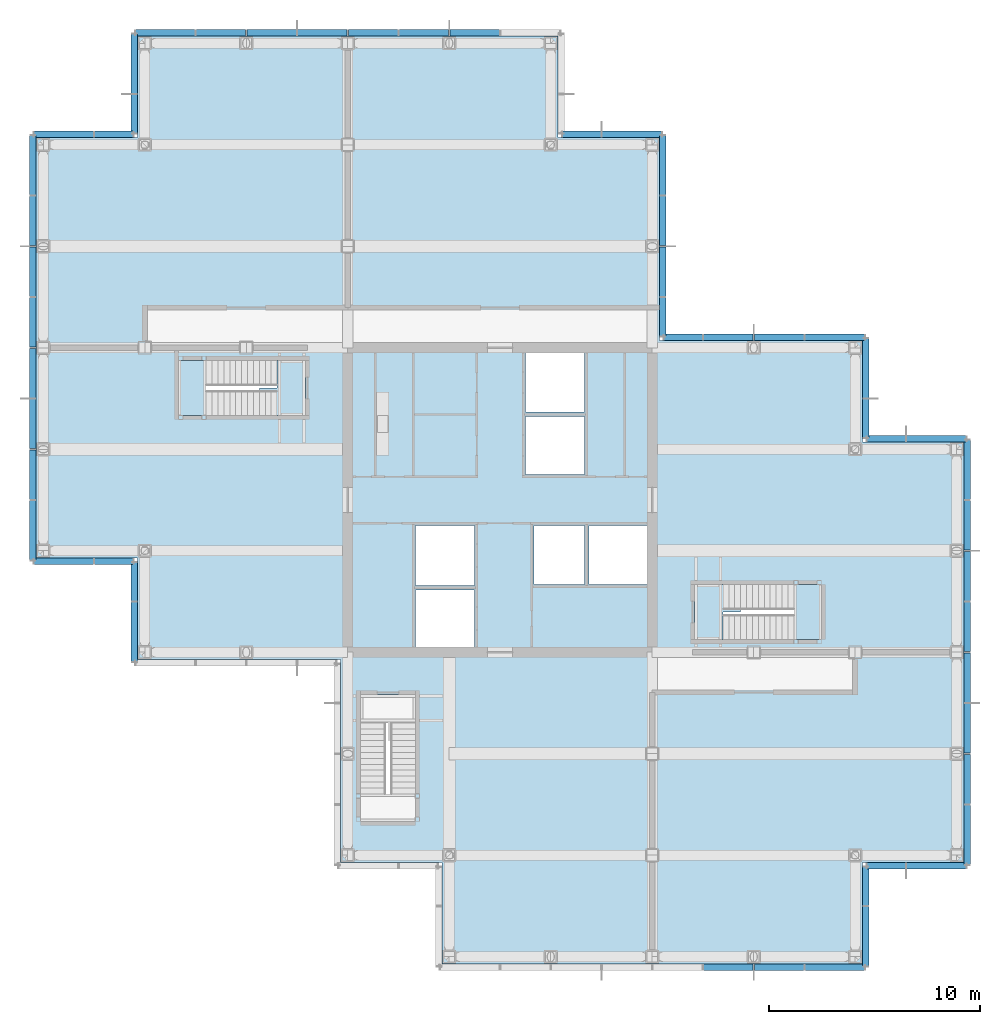
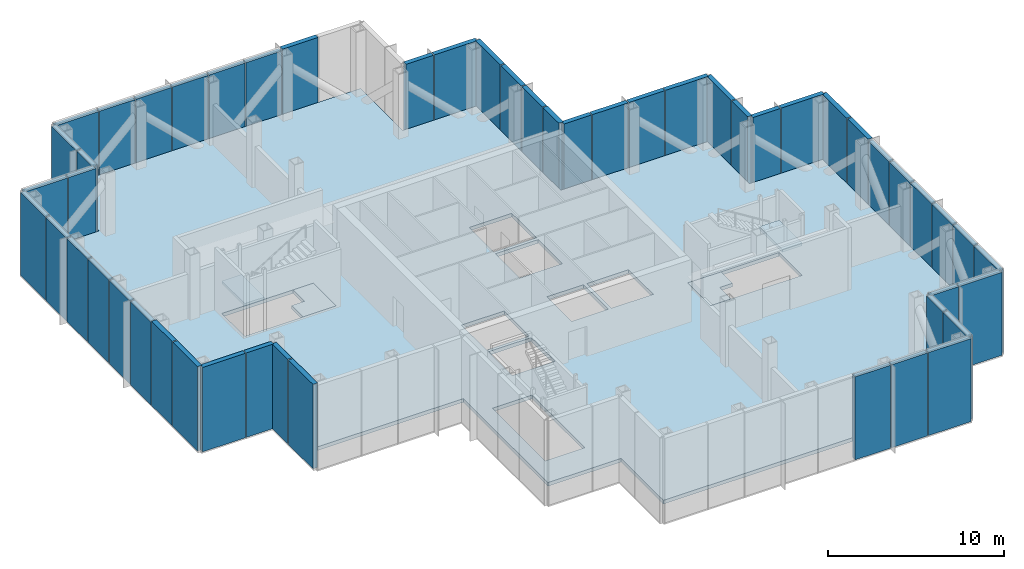
# One storey, part 12 of 17: 52 plates, 5 slabs, 17 elements without a shape of their own.
"""IFC4 building model written with IfcOpenShell, lengths in metres."""

from ifc_helpers import new_model, si_unit, direction, frame, origin, origin_2d, place, context, subcontext, project, spatial, polyline, rectangle, outline, extrude, material, layer, layer_set, type_object, element, aggregate, save


model = new_model("IFC4")

# Units and contexts
model_context = context("Model", 3, precision=1e-05, world=origin(), true_north=direction((0.0, 1.0)))
body_context = subcontext(model_context, "Body", "Model", "MODEL_VIEW")
ifc_project = project(units=[si_unit("LENGTHUNIT", "METRE"), si_unit("AREAUNIT", "SQUARE_METRE"), si_unit("VOLUMEUNIT", "CUBIC_METRE"), si_unit("PLANEANGLEUNIT", "RADIAN"), si_unit("MASSUNIT", "GRAM", prefix="KILO")], contexts=[model_context])

# Site, building, storey
site_placement = place(None, origin())
site = spatial("IfcSite", under=ifc_project, at=site_placement, CompositionType="ELEMENT")
building_placement = place(site_placement, origin())
building = spatial("IfcBuilding", under=site, at=building_placement, Name="Kvirike Care Tower", CompositionType="ELEMENT")
storey_placement = place(building_placement, frame((0.0, 0.0, 136.5)))
storey = spatial("IfcBuildingStorey", under=building, at=storey_placement, Name="L37", CompositionType="ELEMENT", Elevation=136.5)

# Curtain wall, plates
ifc_material_1 = material(Name="Anodised aluminium stick system", Category="aluminium")
curtain_wall_type = type_object("IfcCurtainWallType", Name="CW-L LOUVRED PLANT SCREEN", PredefinedType="NOTDEFINED", material=ifc_material_1)
curtain_wall_1_placement = place(storey_placement, origin())
curtain_wall_1 = element("IfcCurtainWall", 1, at=curtain_wall_1_placement, inside=storey, type_object=curtain_wall_type, Name="Curtain wall L37 face 1", PredefinedType="NOTDEFINED")
ifc_material_2 = material(Name="Bronze anodised aluminium louvre", Category="aluminium")
ifc_layer_1 = layer(ifc_material_2, 0.300048828125)
ifc_layer_set_1 = layer_set([ifc_layer_1], Name="BRONZE LOUVRE PANEL")
plate_type = type_object("IfcPlateType", Name="BRONZE LOUVRE PANEL", PredefinedType="CURTAIN_PANEL", material=ifc_layer_set_1)
plate_1_placement = place(storey_placement, frame((43.699951171875, 20.166259765625, -1.35009765625), z_axis=(0.0, 0.0, 1.0), x_axis=(0.0, 1.0, 0.0)))
plate_1 = element("IfcPlate", 2, at=plate_1_placement, type_object=plate_type, Name="CW-L panel L37 face 1.1", PredefinedType="CURTAIN_PANEL", context=body_context, shape_type="SweptSolid", body=[
    extrude(rectangle(XDim=2.802490234375, YDim=0.300048828125, at=origin_2d()), origin(), (0.0, 0.0, 1.0), 5.75),
])
plate_2_placement = place(storey_placement, frame((43.699951171875, 22.800048828125, -1.35009765625), z_axis=(0.0, 0.0, 1.0), x_axis=(0.0, 1.0, 0.0)))
plate_2 = element("IfcPlate", 3, at=plate_2_placement, type_object=plate_type, Name="CW-L panel L37 face 1.2", PredefinedType="CURTAIN_PANEL", context=body_context, shape_type="SweptSolid", body=[
    extrude(rectangle(XDim=2.3349609375, YDim=0.300048828125, at=origin_2d()), origin(), (0.0, 0.0, 1.0), 5.75),
])
plate_3_placement = place(storey_placement, frame((43.699951171875, 25.199951171875, -1.35009765625), z_axis=(0.0, 0.0, 1.0), x_axis=(0.0, 1.0, 0.0)))
plate_3 = element("IfcPlate", 4, at=plate_3_placement, type_object=plate_type, Name="CW-L panel L37 face 1.3", PredefinedType="CURTAIN_PANEL", context=body_context, shape_type="SweptSolid", body=[
    extrude(rectangle(XDim=2.3349609375, YDim=0.300048828125, at=origin_2d()), origin(), (0.0, 0.0, 1.0), 5.75),
])
plate_4_placement = place(storey_placement, frame((43.699951171875, 27.60009765625, -1.35009765625), z_axis=(0.0, 0.0, 1.0), x_axis=(0.0, 1.0, 0.0)))
plate_4 = element("IfcPlate", 5, at=plate_4_placement, type_object=plate_type, Name="CW-L panel L37 face 1.4", PredefinedType="CURTAIN_PANEL", context=body_context, shape_type="SweptSolid", body=[
    extrude(rectangle(XDim=2.3349609375, YDim=0.300048828125, at=origin_2d()), origin(), (0.0, 0.0, 1.0), 5.75),
])
plate_5_placement = place(storey_placement, frame((43.699951171875, 30.0, -1.35009765625), z_axis=(0.0, 0.0, 1.0), x_axis=(0.0, 1.0, 0.0)))
plate_5 = element("IfcPlate", 6, at=plate_5_placement, type_object=plate_type, Name="CW-L panel L37 face 1.5", PredefinedType="CURTAIN_PANEL", context=body_context, shape_type="SweptSolid", body=[
    extrude(rectangle(XDim=2.3349609375, YDim=0.300048828125, at=origin_2d()), origin(), (0.0, 0.0, 1.0), 5.75),
])
plate_6_placement = place(storey_placement, frame((43.699951171875, 32.39990234375, -1.35009765625), z_axis=(0.0, 0.0, 1.0), x_axis=(0.0, 1.0, 0.0)))
plate_6 = element("IfcPlate", 7, at=plate_6_placement, type_object=plate_type, Name="CW-L panel L37 face 1.6", PredefinedType="CURTAIN_PANEL", context=body_context, shape_type="SweptSolid", body=[
    extrude(rectangle(XDim=2.3349609375, YDim=0.300048828125, at=origin_2d()), origin(), (0.0, 0.0, 1.0), 5.75),
])
plate_7_placement = place(storey_placement, frame((43.699951171875, 34.800048828125, -1.35009765625), z_axis=(0.0, 0.0, 1.0), x_axis=(0.0, 1.0, 0.0)))
plate_7 = element("IfcPlate", 8, at=plate_7_placement, type_object=plate_type, Name="CW-L panel L37 face 1.7", PredefinedType="CURTAIN_PANEL", context=body_context, shape_type="SweptSolid", body=[
    extrude(rectangle(XDim=2.3349609375, YDim=0.300048828125, at=origin_2d()), origin(), (0.0, 0.0, 1.0), 5.85009765625),
])
plate_8_placement = place(storey_placement, frame((43.699951171875, 37.433837890625, -1.35009765625), z_axis=(0.0, 0.0, 1.0), x_axis=(0.0, 1.0, 0.0)))
plate_8 = element("IfcPlate", 9, at=plate_8_placement, type_object=plate_type, Name="CW-L panel L37 face 1.8", PredefinedType="CURTAIN_PANEL", context=body_context, shape_type="SweptSolid", body=[
    extrude(rectangle(XDim=2.802490234375, YDim=0.300048828125, at=origin_2d()), origin(), (0.0, 0.0, 1.0), 5.85009765625),
])
aggregate(curtain_wall_1, [plate_1, plate_2, plate_3, plate_4, plate_5, plate_6, plate_7, plate_8])

curtain_wall_2_placement = place(storey_placement, origin())
curtain_wall_2 = element("IfcCurtainWall", 10, at=curtain_wall_2_placement, inside=storey, type_object=curtain_wall_type, Name="Curtain wall L37 face 2", PredefinedType="NOTDEFINED")
plate_9_placement = place(storey_placement, frame((42.233642578125, 38.89990234375, -1.35009765625), z_axis=(0.0, 0.0, 1.0), x_axis=(-1.0, 0.0, 0.0)))
plate_9 = element("IfcPlate", 11, at=plate_9_placement, type_object=plate_type, Name="CW-L panel L37 face 2.1", PredefinedType="CURTAIN_PANEL", context=body_context, shape_type="SweptSolid", body=[
    extrude(rectangle(XDim=2.802490234375, YDim=0.300048828125, at=origin_2d()), origin(), (0.0, 0.0, 1.0), 5.85009765625),
])
plate_10_placement = place(storey_placement, frame((39.8662109375, 38.89990234375, -1.35009765625), z_axis=(0.0, 0.0, 1.0), x_axis=(-1.0, 0.0, 0.0)))
plate_10 = element("IfcPlate", 12, at=plate_10_placement, type_object=plate_type, Name="CW-L panel L37 face 2.2", PredefinedType="CURTAIN_PANEL", context=body_context, shape_type="SweptSolid", body=[
    extrude(rectangle(XDim=1.802490234375, YDim=0.300048828125, at=origin_2d()), origin(), (0.0, 0.0, 1.0), 5.85009765625),
])
aggregate(curtain_wall_2, [plate_9, plate_10])

curtain_wall_3_placement = place(storey_placement, origin())
curtain_wall_3 = element("IfcCurtainWall", 13, at=curtain_wall_3_placement, inside=storey, type_object=curtain_wall_type, Name="Curtain wall L37 face 3", PredefinedType="NOTDEFINED")
plate_11_placement = place(storey_placement, frame((38.89990234375, 39.8662109375, -1.35009765625), z_axis=(0.0, 0.0, 1.0), x_axis=(0.0, 1.0, 0.0)))
plate_11 = element("IfcPlate", 14, at=plate_11_placement, type_object=plate_type, Name="CW-L panel L37 face 3.1", PredefinedType="CURTAIN_PANEL", context=body_context, shape_type="SweptSolid", body=[
    extrude(rectangle(XDim=1.802490234375, YDim=0.300048828125, at=origin_2d()), origin(), (0.0, 0.0, 1.0), 5.85009765625),
])
plate_12_placement = place(storey_placement, frame((38.89990234375, 42.233642578125, -1.35009765625), z_axis=(0.0, 0.0, 1.0), x_axis=(0.0, 1.0, 0.0)))
plate_12 = element("IfcPlate", 15, at=plate_12_placement, type_object=plate_type, Name="CW-L panel L37 face 3.2", PredefinedType="CURTAIN_PANEL", context=body_context, shape_type="SweptSolid", body=[
    extrude(rectangle(XDim=2.802490234375, YDim=0.300048828125, at=origin_2d()), origin(), (0.0, 0.0, 1.0), 5.85009765625),
])
aggregate(curtain_wall_3, [plate_11, plate_12])

curtain_wall_4_placement = place(storey_placement, origin())
curtain_wall_4 = element("IfcCurtainWall", 16, at=curtain_wall_4_placement, inside=storey, type_object=curtain_wall_type, Name="Curtain wall L37 face 4", PredefinedType="NOTDEFINED")
plate_13_placement = place(storey_placement, frame((37.433837890625, 43.699951171875, -1.35009765625), z_axis=(0.0, 0.0, 1.0), x_axis=(-1.0, 0.0, 0.0)))
plate_13 = element("IfcPlate", 17, at=plate_13_placement, type_object=plate_type, Name="CW-L panel L37 face 4.1", PredefinedType="CURTAIN_PANEL", context=body_context, shape_type="SweptSolid", body=[
    extrude(rectangle(XDim=2.802490234375, YDim=0.300048828125, at=origin_2d()), origin(), (0.0, 0.0, 1.0), 5.85009765625),
])
plate_14_placement = place(storey_placement, frame((34.800048828125, 43.699951171875, -1.35009765625), z_axis=(0.0, 0.0, 1.0), x_axis=(-1.0, 0.0, 0.0)))
plate_14 = element("IfcPlate", 18, at=plate_14_placement, type_object=plate_type, Name="CW-L panel L37 face 4.2", PredefinedType="CURTAIN_PANEL", context=body_context, shape_type="SweptSolid", body=[
    extrude(rectangle(XDim=2.3349609375, YDim=0.300048828125, at=origin_2d()), origin(), (0.0, 0.0, 1.0), 5.85009765625),
])
plate_15_placement = place(storey_placement, frame((32.39990234375, 43.699951171875, -1.35009765625), z_axis=(0.0, 0.0, 1.0), x_axis=(-1.0, 0.0, 0.0)))
plate_15 = element("IfcPlate", 19, at=plate_15_placement, type_object=plate_type, Name="CW-L panel L37 face 4.3", PredefinedType="CURTAIN_PANEL", context=body_context, shape_type="SweptSolid", body=[
    extrude(rectangle(XDim=2.3349609375, YDim=0.300048828125, at=origin_2d()), origin(), (0.0, 0.0, 1.0), 5.85009765625),
])
plate_16_placement = place(storey_placement, frame((30.266357421875, 43.699951171875, -1.35009765625), z_axis=(0.0, 0.0, 1.0), x_axis=(-1.0, 0.0, 0.0)))
plate_16 = element("IfcPlate", 20, at=plate_16_placement, type_object=plate_type, Name="CW-L panel L37 face 4.4", PredefinedType="CURTAIN_PANEL", context=body_context, shape_type="SweptSolid", body=[
    extrude(rectangle(XDim=1.802490234375, YDim=0.300048828125, at=origin_2d()), origin(), (0.0, 0.0, 1.0), 5.85009765625),
])
aggregate(curtain_wall_4, [plate_13, plate_14, plate_15, plate_16])

curtain_wall_5_placement = place(storey_placement, origin())
curtain_wall_5 = element("IfcCurtainWall", 21, at=curtain_wall_5_placement, inside=storey, type_object=curtain_wall_type, Name="Curtain wall L37 face 5", PredefinedType="NOTDEFINED")
plate_17_placement = place(storey_placement, frame((29.300048828125, 44.666259765625, -1.35009765625), z_axis=(0.0, 0.0, 1.0), x_axis=(0.0, 1.0, 0.0)))
plate_17 = element("IfcPlate", 22, at=plate_17_placement, type_object=plate_type, Name="CW-L panel L37 face 5.1", PredefinedType="CURTAIN_PANEL", context=body_context, shape_type="SweptSolid", body=[
    extrude(rectangle(XDim=1.802490234375, YDim=0.300048828125, at=origin_2d()), origin(), (0.0, 0.0, 1.0), 5.85009765625),
])
plate_18_placement = place(storey_placement, frame((29.300048828125, 46.800048828125, -1.35009765625), z_axis=(0.0, 0.0, 1.0), x_axis=(0.0, 1.0, 0.0)))
plate_18 = element("IfcPlate", 23, at=plate_18_placement, type_object=plate_type, Name="CW-L panel L37 face 5.2", PredefinedType="CURTAIN_PANEL", context=body_context, shape_type="SweptSolid", body=[
    extrude(rectangle(XDim=2.3349609375, YDim=0.300048828125, at=origin_2d()), origin(), (0.0, 0.0, 1.0), 5.85009765625),
])
plate_19_placement = place(storey_placement, frame((29.300048828125, 49.199951171875, -1.35009765625), z_axis=(0.0, 0.0, 1.0), x_axis=(0.0, 1.0, 0.0)))
plate_19 = element("IfcPlate", 24, at=plate_19_placement, type_object=plate_type, Name="CW-L panel L37 face 5.3", PredefinedType="CURTAIN_PANEL", context=body_context, shape_type="SweptSolid", body=[
    extrude(rectangle(XDim=2.3349609375, YDim=0.300048828125, at=origin_2d()), origin(), (0.0, 0.0, 1.0), 5.85009765625),
])
plate_20_placement = place(storey_placement, frame((29.300048828125, 51.833740234375, -1.35009765625), z_axis=(0.0, 0.0, 1.0), x_axis=(0.0, 1.0, 0.0)))
plate_20 = element("IfcPlate", 25, at=plate_20_placement, type_object=plate_type, Name="CW-L panel L37 face 5.4", PredefinedType="CURTAIN_PANEL", context=body_context, shape_type="SweptSolid", body=[
    extrude(rectangle(XDim=2.802490234375, YDim=0.300048828125, at=origin_2d()), origin(), (0.0, 0.0, 1.0), 5.85009765625),
])
aggregate(curtain_wall_5, [plate_17, plate_18, plate_19, plate_20])

curtain_wall_6_placement = place(storey_placement, origin())
curtain_wall_6 = element("IfcCurtainWall", 26, at=curtain_wall_6_placement, inside=storey, type_object=curtain_wall_type, Name="Curtain wall L37 face 6", PredefinedType="NOTDEFINED")
plate_21_placement = place(storey_placement, frame((27.833740234375, 53.300048828125, -1.35009765625), z_axis=(0.0, 0.0, 1.0), x_axis=(-1.0, 0.0, 0.0)))
plate_21 = element("IfcPlate", 27, at=plate_21_placement, type_object=plate_type, Name="CW-L panel L37 face 6.1", PredefinedType="CURTAIN_PANEL", context=body_context, shape_type="SweptSolid", body=[
    extrude(rectangle(XDim=2.802490234375, YDim=0.300048828125, at=origin_2d()), origin(), (0.0, 0.0, 1.0), 5.85009765625),
])
plate_22_placement = place(storey_placement, frame((25.46630859375, 53.300048828125, -1.35009765625), z_axis=(0.0, 0.0, 1.0), x_axis=(-1.0, 0.0, 0.0)))
plate_22 = element("IfcPlate", 28, at=plate_22_placement, type_object=plate_type, Name="CW-L panel L37 face 6.2", PredefinedType="CURTAIN_PANEL", context=body_context, shape_type="SweptSolid", body=[
    extrude(rectangle(XDim=1.802490234375, YDim=0.300048828125, at=origin_2d()), origin(), (0.0, 0.0, 1.0), 5.85009765625),
])
aggregate(curtain_wall_6, [plate_21, plate_22])

curtain_wall_7_placement = place(storey_placement, origin())
curtain_wall_7 = element("IfcCurtainWall", 29, at=curtain_wall_7_placement, inside=storey, type_object=curtain_wall_type, Name="Curtain wall L37 face 8", PredefinedType="NOTDEFINED")
plate_23_placement = place(storey_placement, frame((20.39990234375, 58.10009765625, -1.35009765625), z_axis=(0.0, 0.0, 1.0), x_axis=(-1.0, 0.0, 0.0)))
plate_23 = element("IfcPlate", 30, at=plate_23_placement, type_object=plate_type, Name="CW-L panel L37 face 8.2", PredefinedType="CURTAIN_PANEL", context=body_context, shape_type="SweptSolid", body=[
    extrude(rectangle(XDim=2.3349609375, YDim=0.300048828125, at=origin_2d()), origin(), (0.0, 0.0, 1.0), 5.85009765625),
])
plate_24_placement = place(storey_placement, frame((18.0, 58.10009765625, -1.35009765625), z_axis=(0.0, 0.0, 1.0), x_axis=(-1.0, 0.0, 0.0)))
plate_24 = element("IfcPlate", 31, at=plate_24_placement, type_object=plate_type, Name="CW-L panel L37 face 8.3", PredefinedType="CURTAIN_PANEL", context=body_context, shape_type="SweptSolid", body=[
    extrude(rectangle(XDim=2.3349609375, YDim=0.300048828125, at=origin_2d()), origin(), (0.0, 0.0, 1.0), 5.75),
])
plate_25_placement = place(storey_placement, frame((15.60009765625, 58.10009765625, -1.35009765625), z_axis=(0.0, 0.0, 1.0), x_axis=(-1.0, 0.0, 0.0)))
plate_25 = element("IfcPlate", 32, at=plate_25_placement, type_object=plate_type, Name="CW-L panel L37 face 8.4", PredefinedType="CURTAIN_PANEL", context=body_context, shape_type="SweptSolid", body=[
    extrude(rectangle(XDim=2.3349609375, YDim=0.300048828125, at=origin_2d()), origin(), (0.0, 0.0, 1.0), 5.75),
])
plate_26_placement = place(storey_placement, frame((13.199951171875, 58.10009765625, -1.35009765625), z_axis=(0.0, 0.0, 1.0), x_axis=(-1.0, 0.0, 0.0)))
plate_26 = element("IfcPlate", 33, at=plate_26_placement, type_object=plate_type, Name="CW-L panel L37 face 8.5", PredefinedType="CURTAIN_PANEL", context=body_context, shape_type="SweptSolid", body=[
    extrude(rectangle(XDim=2.3349609375, YDim=0.300048828125, at=origin_2d()), origin(), (0.0, 0.0, 1.0), 5.75),
])
plate_27_placement = place(storey_placement, frame((10.800048828125, 58.10009765625, -1.35009765625), z_axis=(0.0, 0.0, 1.0), x_axis=(-1.0, 0.0, 0.0)))
plate_27 = element("IfcPlate", 34, at=plate_27_placement, type_object=plate_type, Name="CW-L panel L37 face 8.6", PredefinedType="CURTAIN_PANEL", context=body_context, shape_type="SweptSolid", body=[
    extrude(rectangle(XDim=2.3349609375, YDim=0.300048828125, at=origin_2d()), origin(), (0.0, 0.0, 1.0), 5.75),
])
plate_28_placement = place(storey_placement, frame((8.39990234375, 58.10009765625, -1.35009765625), z_axis=(0.0, 0.0, 1.0), x_axis=(-1.0, 0.0, 0.0)))
plate_28 = element("IfcPlate", 35, at=plate_28_placement, type_object=plate_type, Name="CW-L panel L37 face 8.7", PredefinedType="CURTAIN_PANEL", context=body_context, shape_type="SweptSolid", body=[
    extrude(rectangle(XDim=2.3349609375, YDim=0.300048828125, at=origin_2d()), origin(), (0.0, 0.0, 1.0), 5.75),
])
plate_29_placement = place(storey_placement, frame((5.766357421875, 58.10009765625, -1.35009765625), z_axis=(0.0, 0.0, 1.0), x_axis=(-1.0, 0.0, 0.0)))
plate_29 = element("IfcPlate", 36, at=plate_29_placement, type_object=plate_type, Name="CW-L panel L37 face 8.8", PredefinedType="CURTAIN_PANEL", context=body_context, shape_type="SweptSolid", body=[
    extrude(rectangle(XDim=2.802490234375, YDim=0.300048828125, at=origin_2d()), origin(), (0.0, 0.0, 1.0), 5.75),
])
aggregate(curtain_wall_7, [plate_23, plate_24, plate_25, plate_26, plate_27, plate_28, plate_29])

curtain_wall_8_placement = place(storey_placement, origin())
curtain_wall_8 = element("IfcCurtainWall", 37, at=curtain_wall_8_placement, inside=storey, type_object=curtain_wall_type, Name="Curtain wall L37 face 9", PredefinedType="NOTDEFINED")
plate_30_placement = place(storey_placement, frame((4.300048828125, 56.6337890625, -1.35009765625), z_axis=(0.0, 0.0, 1.0), x_axis=(0.0, -1.0, 0.0)))
plate_30 = element("IfcPlate", 38, at=plate_30_placement, type_object=plate_type, Name="CW-L panel L37 face 9.1", PredefinedType="CURTAIN_PANEL", context=body_context, shape_type="SweptSolid", body=[
    extrude(rectangle(XDim=2.802490234375, YDim=0.300048828125, at=origin_2d()), origin(), (0.0, 0.0, 1.0), 5.75),
])
plate_31_placement = place(storey_placement, frame((4.300048828125, 54.266357421875, -1.35009765625), z_axis=(0.0, 0.0, 1.0), x_axis=(0.0, -1.0, 0.0)))
plate_31 = element("IfcPlate", 39, at=plate_31_placement, type_object=plate_type, Name="CW-L panel L37 face 9.2", PredefinedType="CURTAIN_PANEL", context=body_context, shape_type="SweptSolid", body=[
    extrude(rectangle(XDim=1.802490234375, YDim=0.300048828125, at=origin_2d()), origin(), (0.0, 0.0, 1.0), 5.75),
])
aggregate(curtain_wall_8, [plate_30, plate_31])

curtain_wall_9_placement = place(storey_placement, origin())
curtain_wall_9 = element("IfcCurtainWall", 40, at=curtain_wall_9_placement, inside=storey, type_object=curtain_wall_type, Name="Curtain wall L37 face 10", PredefinedType="NOTDEFINED")
plate_32_placement = place(storey_placement, frame((3.333740234375, 53.300048828125, -1.35009765625), z_axis=(0.0, 0.0, 1.0), x_axis=(-1.0, 0.0, 0.0)))
plate_32 = element("IfcPlate", 41, at=plate_32_placement, type_object=plate_type, Name="CW-L panel L37 face 10.1", PredefinedType="CURTAIN_PANEL", context=body_context, shape_type="SweptSolid", body=[
    extrude(rectangle(XDim=1.802490234375, YDim=0.300048828125, at=origin_2d()), origin(), (0.0, 0.0, 1.0), 5.75),
])
plate_33_placement = place(storey_placement, frame((0.96630859375, 53.300048828125, -1.35009765625), z_axis=(0.0, 0.0, 1.0), x_axis=(-1.0, 0.0, 0.0)))
plate_33 = element("IfcPlate", 42, at=plate_33_placement, type_object=plate_type, Name="CW-L panel L37 face 10.2", PredefinedType="CURTAIN_PANEL", context=body_context, shape_type="SweptSolid", body=[
    extrude(rectangle(XDim=2.802490234375, YDim=0.300048828125, at=origin_2d()), origin(), (0.0, 0.0, 1.0), 5.75),
])
aggregate(curtain_wall_9, [plate_32, plate_33])

curtain_wall_10_placement = place(storey_placement, origin())
curtain_wall_10 = element("IfcCurtainWall", 43, at=curtain_wall_10_placement, inside=storey, type_object=curtain_wall_type, Name="Curtain wall L37 face 11", PredefinedType="NOTDEFINED")
plate_34_placement = place(storey_placement, frame((-0.5, 51.833740234375, -1.35009765625), z_axis=(0.0, 0.0, 1.0), x_axis=(0.0, -1.0, 0.0)))
plate_34 = element("IfcPlate", 44, at=plate_34_placement, type_object=plate_type, Name="CW-L panel L37 face 11.1", PredefinedType="CURTAIN_PANEL", context=body_context, shape_type="SweptSolid", body=[
    extrude(rectangle(XDim=2.802490234375, YDim=0.300048828125, at=origin_2d()), origin(), (0.0, 0.0, 1.0), 5.75),
])
plate_35_placement = place(storey_placement, frame((-0.5, 49.199951171875, -1.35009765625), z_axis=(0.0, 0.0, 1.0), x_axis=(0.0, -1.0, 0.0)))
plate_35 = element("IfcPlate", 45, at=plate_35_placement, type_object=plate_type, Name="CW-L panel L37 face 11.2", PredefinedType="CURTAIN_PANEL", context=body_context, shape_type="SweptSolid", body=[
    extrude(rectangle(XDim=2.3349609375, YDim=0.300048828125, at=origin_2d()), origin(), (0.0, 0.0, 1.0), 5.75),
])
plate_36_placement = place(storey_placement, frame((-0.5, 46.800048828125, -1.35009765625), z_axis=(0.0, 0.0, 1.0), x_axis=(0.0, -1.0, 0.0)))
plate_36 = element("IfcPlate", 46, at=plate_36_placement, type_object=plate_type, Name="CW-L panel L37 face 11.3", PredefinedType="CURTAIN_PANEL", context=body_context, shape_type="SweptSolid", body=[
    extrude(rectangle(XDim=2.3349609375, YDim=0.300048828125, at=origin_2d()), origin(), (0.0, 0.0, 1.0), 5.75),
])
plate_37_placement = place(storey_placement, frame((-0.5, 44.39990234375, -1.35009765625), z_axis=(0.0, 0.0, 1.0), x_axis=(0.0, -1.0, 0.0)))
plate_37 = element("IfcPlate", 47, at=plate_37_placement, type_object=plate_type, Name="CW-L panel L37 face 11.4", PredefinedType="CURTAIN_PANEL", context=body_context, shape_type="SweptSolid", body=[
    extrude(rectangle(XDim=2.3349609375, YDim=0.300048828125, at=origin_2d()), origin(), (0.0, 0.0, 1.0), 5.75),
])
plate_38_placement = place(storey_placement, frame((-0.5, 42.0, -1.35009765625), z_axis=(0.0, 0.0, 1.0), x_axis=(0.0, -1.0, 0.0)))
plate_38 = element("IfcPlate", 48, at=plate_38_placement, type_object=plate_type, Name="CW-L panel L37 face 11.5", PredefinedType="CURTAIN_PANEL", context=body_context, shape_type="SweptSolid", body=[
    extrude(rectangle(XDim=2.3349609375, YDim=0.300048828125, at=origin_2d()), origin(), (0.0, 0.0, 1.0), 5.75),
])
plate_39_placement = place(storey_placement, frame((-0.5, 39.60009765625, -1.35009765625), z_axis=(0.0, 0.0, 1.0), x_axis=(0.0, -1.0, 0.0)))
plate_39 = element("IfcPlate", 49, at=plate_39_placement, type_object=plate_type, Name="CW-L panel L37 face 11.6", PredefinedType="CURTAIN_PANEL", context=body_context, shape_type="SweptSolid", body=[
    extrude(rectangle(XDim=2.3349609375, YDim=0.300048828125, at=origin_2d()), origin(), (0.0, 0.0, 1.0), 5.75),
])
plate_40_placement = place(storey_placement, frame((-0.5, 37.199951171875, -1.35009765625), z_axis=(0.0, 0.0, 1.0), x_axis=(0.0, -1.0, 0.0)))
plate_40 = element("IfcPlate", 50, at=plate_40_placement, type_object=plate_type, Name="CW-L panel L37 face 11.7", PredefinedType="CURTAIN_PANEL", context=body_context, shape_type="SweptSolid", body=[
    extrude(rectangle(XDim=2.3349609375, YDim=0.300048828125, at=origin_2d()), origin(), (0.0, 0.0, 1.0), 5.85009765625),
])
plate_41_placement = place(storey_placement, frame((-0.5, 34.566162109375, -1.35009765625), z_axis=(0.0, 0.0, 1.0), x_axis=(0.0, -1.0, 0.0)))
plate_41 = element("IfcPlate", 51, at=plate_41_placement, type_object=plate_type, Name="CW-L panel L37 face 11.8", PredefinedType="CURTAIN_PANEL", context=body_context, shape_type="SweptSolid", body=[
    extrude(rectangle(XDim=2.802490234375, YDim=0.300048828125, at=origin_2d()), origin(), (0.0, 0.0, 1.0), 5.85009765625),
])
aggregate(curtain_wall_10, [plate_34, plate_35, plate_36, plate_37, plate_38, plate_39, plate_40, plate_41])

curtain_wall_11_placement = place(storey_placement, origin())
curtain_wall_11 = element("IfcCurtainWall", 52, at=curtain_wall_11_placement, inside=storey, type_object=curtain_wall_type, Name="Curtain wall L37 face 12", PredefinedType="NOTDEFINED")
plate_42_placement = place(storey_placement, frame((0.96630859375, 33.10009765625, -1.35009765625), z_axis=(0.0, 0.0, 1.0), x_axis=(1.0, 0.0, 0.0)))
plate_42 = element("IfcPlate", 53, at=plate_42_placement, type_object=plate_type, Name="CW-L panel L37 face 12.1", PredefinedType="CURTAIN_PANEL", context=body_context, shape_type="SweptSolid", body=[
    extrude(rectangle(XDim=2.802490234375, YDim=0.300048828125, at=origin_2d()), origin(), (0.0, 0.0, 1.0), 5.85009765625),
])
plate_43_placement = place(storey_placement, frame((3.333740234375, 33.10009765625, -1.35009765625), z_axis=(0.0, 0.0, 1.0), x_axis=(1.0, 0.0, 0.0)))
plate_43 = element("IfcPlate", 54, at=plate_43_placement, type_object=plate_type, Name="CW-L panel L37 face 12.2", PredefinedType="CURTAIN_PANEL", context=body_context, shape_type="SweptSolid", body=[
    extrude(rectangle(XDim=1.802490234375, YDim=0.300048828125, at=origin_2d()), origin(), (0.0, 0.0, 1.0), 5.85009765625),
])
aggregate(curtain_wall_11, [plate_42, plate_43])

curtain_wall_12_placement = place(storey_placement, origin())
curtain_wall_12 = element("IfcCurtainWall", 55, at=curtain_wall_12_placement, inside=storey, type_object=curtain_wall_type, Name="Curtain wall L37 face 13", PredefinedType="NOTDEFINED")
plate_44_placement = place(storey_placement, frame((4.300048828125, 32.1337890625, -1.35009765625), z_axis=(0.0, 0.0, 1.0), x_axis=(0.0, -1.0, 0.0)))
plate_44 = element("IfcPlate", 56, at=plate_44_placement, type_object=plate_type, Name="CW-L panel L37 face 13.1", PredefinedType="CURTAIN_PANEL", context=body_context, shape_type="SweptSolid", body=[
    extrude(rectangle(XDim=1.802490234375, YDim=0.300048828125, at=origin_2d()), origin(), (0.0, 0.0, 1.0), 5.85009765625),
])
plate_45_placement = place(storey_placement, frame((4.300048828125, 29.766357421875, -1.35009765625), z_axis=(0.0, 0.0, 1.0), x_axis=(0.0, -1.0, 0.0)))
plate_45 = element("IfcPlate", 57, at=plate_45_placement, type_object=plate_type, Name="CW-L panel L37 face 13.2", PredefinedType="CURTAIN_PANEL", context=body_context, shape_type="SweptSolid", body=[
    extrude(rectangle(XDim=2.802490234375, YDim=0.300048828125, at=origin_2d()), origin(), (0.0, 0.0, 1.0), 5.85009765625),
])
aggregate(curtain_wall_12, [plate_44, plate_45])

curtain_wall_13_placement = place(storey_placement, origin())
curtain_wall_13 = element("IfcCurtainWall", 58, at=curtain_wall_13_placement, inside=storey, type_object=curtain_wall_type, Name="Curtain wall L37 face 18", PredefinedType="NOTDEFINED")
plate_46_placement = place(storey_placement, frame((32.39990234375, 13.89990234375, -1.35009765625), z_axis=(0.0, 0.0, 1.0), x_axis=(1.0, 0.0, 0.0)))
plate_46 = element("IfcPlate", 59, at=plate_46_placement, type_object=plate_type, Name="CW-L panel L37 face 18.6", PredefinedType="CURTAIN_PANEL", context=body_context, shape_type="SweptSolid", body=[
    extrude(rectangle(XDim=2.3349609375, YDim=0.300048828125, at=origin_2d()), origin(), (0.0, 0.0, 1.0), 5.75),
])
plate_47_placement = place(storey_placement, frame((34.800048828125, 13.89990234375, -1.35009765625), z_axis=(0.0, 0.0, 1.0), x_axis=(1.0, 0.0, 0.0)))
plate_47 = element("IfcPlate", 60, at=plate_47_placement, type_object=plate_type, Name="CW-L panel L37 face 18.7", PredefinedType="CURTAIN_PANEL", context=body_context, shape_type="SweptSolid", body=[
    extrude(rectangle(XDim=2.3349609375, YDim=0.300048828125, at=origin_2d()), origin(), (0.0, 0.0, 1.0), 5.75),
])
plate_48_placement = place(storey_placement, frame((37.433837890625, 13.89990234375, -1.35009765625), z_axis=(0.0, 0.0, 1.0), x_axis=(1.0, 0.0, 0.0)))
plate_48 = element("IfcPlate", 61, at=plate_48_placement, type_object=plate_type, Name="CW-L panel L37 face 18.8", PredefinedType="CURTAIN_PANEL", context=body_context, shape_type="SweptSolid", body=[
    extrude(rectangle(XDim=2.802490234375, YDim=0.300048828125, at=origin_2d()), origin(), (0.0, 0.0, 1.0), 5.75),
])
aggregate(curtain_wall_13, [plate_46, plate_47, plate_48])

curtain_wall_14_placement = place(storey_placement, origin())
curtain_wall_14 = element("IfcCurtainWall", 62, at=curtain_wall_14_placement, inside=storey, type_object=curtain_wall_type, Name="Curtain wall L37 face 19", PredefinedType="NOTDEFINED")
plate_49_placement = place(storey_placement, frame((38.89990234375, 15.3662109375, -1.35009765625), z_axis=(0.0, 0.0, 1.0), x_axis=(0.0, 1.0, 0.0)))
plate_49 = element("IfcPlate", 63, at=plate_49_placement, type_object=plate_type, Name="CW-L panel L37 face 19.1", PredefinedType="CURTAIN_PANEL", context=body_context, shape_type="SweptSolid", body=[
    extrude(rectangle(XDim=2.802490234375, YDim=0.300048828125, at=origin_2d()), origin(), (0.0, 0.0, 1.0), 5.75),
])
plate_50_placement = place(storey_placement, frame((38.89990234375, 17.733642578125, -1.35009765625), z_axis=(0.0, 0.0, 1.0), x_axis=(0.0, 1.0, 0.0)))
plate_50 = element("IfcPlate", 64, at=plate_50_placement, type_object=plate_type, Name="CW-L panel L37 face 19.2", PredefinedType="CURTAIN_PANEL", context=body_context, shape_type="SweptSolid", body=[
    extrude(rectangle(XDim=1.802490234375, YDim=0.300048828125, at=origin_2d()), origin(), (0.0, 0.0, 1.0), 5.75),
])
aggregate(curtain_wall_14, [plate_49, plate_50])

curtain_wall_15_placement = place(storey_placement, origin())
curtain_wall_15 = element("IfcCurtainWall", 65, at=curtain_wall_15_placement, inside=storey, type_object=curtain_wall_type, Name="Curtain wall L37 face 20", PredefinedType="NOTDEFINED")
plate_51_placement = place(storey_placement, frame((39.8662109375, 18.699951171875, -1.35009765625), z_axis=(0.0, 0.0, 1.0), x_axis=(1.0, 0.0, 0.0)))
plate_51 = element("IfcPlate", 66, at=plate_51_placement, type_object=plate_type, Name="CW-L panel L37 face 20.1", PredefinedType="CURTAIN_PANEL", context=body_context, shape_type="SweptSolid", body=[
    extrude(rectangle(XDim=1.802490234375, YDim=0.300048828125, at=origin_2d()), origin(), (0.0, 0.0, 1.0), 5.75),
])
plate_52_placement = place(storey_placement, frame((42.233642578125, 18.699951171875, -1.35009765625), z_axis=(0.0, 0.0, 1.0), x_axis=(1.0, 0.0, 0.0)))
plate_52 = element("IfcPlate", 67, at=plate_52_placement, type_object=plate_type, Name="CW-L panel L37 face 20.2", PredefinedType="CURTAIN_PANEL", context=body_context, shape_type="SweptSolid", body=[
    extrude(rectangle(XDim=2.802490234375, YDim=0.300048828125, at=origin_2d()), origin(), (0.0, 0.0, 1.0), 5.75),
])
aggregate(curtain_wall_15, [plate_51, plate_52])

# Slab
ifc_material_3 = material(Name="Concrete C35/45", Category="concrete")
ifc_layer_2 = layer(ifc_material_3, 0.25)
ifc_layer_set_2 = layer_set([ifc_layer_2], Name="PLANT FLOOR SLAB 250")
slab_type_1 = type_object("IfcSlabType", Name="PLANT FLOOR SLAB 250", PredefinedType="FLOOR", material=ifc_layer_set_2)
slab_1_placement = place(storey_placement, frame((0.0, 0.0, -0.25)))
element("IfcSlab", 68, at=slab_1_placement, inside=storey, type_object=slab_type_1, Name="Floor slab L37", PredefinedType="FLOOR", context=body_context, shape_type="SweptSolid", body=[
    extrude(outline(polyline([(43.550048828125, 18.85009765625), (43.550048828125, 38.75), (38.75, 38.75), (38.75, 43.550048828125), (29.14990234375, 43.550048828125), (29.14990234375, 53.14990234375), (24.35009765625, 53.14990234375), (24.35009765625, 57.949951171875), (4.449951171875, 57.949951171875), (4.449951171875, 53.14990234375), (-0.35009765625, 53.14990234375), (-0.35009765625, 33.25), (4.449951171875, 33.25), (4.449951171875, 28.449951171875), (14.050048828125, 28.449951171875), (14.050048828125, 18.85009765625), (18.85009765625, 18.85009765625), (18.85009765625, 14.050048828125), (38.75, 14.050048828125), (38.75, 18.85009765625), (43.550048828125, 18.85009765625)]), holes=[polyline([(17.60009765625, 29.050048828125), (17.60009765625, 31.75), (20.39990234375, 31.75), (20.39990234375, 29.050048828125), (17.60009765625, 29.050048828125)]), polyline([(17.60009765625, 31.949951171875), (17.60009765625, 34.800048828125), (20.39990234375, 34.800048828125), (20.39990234375, 31.949951171875), (17.60009765625, 31.949951171875)]), polyline([(22.800048828125, 37.199951171875), (22.800048828125, 39.949951171875), (25.60009765625, 39.949951171875), (25.60009765625, 37.199951171875), (22.800048828125, 37.199951171875)]), polyline([(22.800048828125, 40.14990234375), (22.800048828125, 42.949951171875), (25.60009765625, 42.949951171875), (25.60009765625, 40.14990234375), (22.800048828125, 40.14990234375)]), polyline([(23.199951171875, 32.0), (23.199951171875, 34.800048828125), (25.60009765625, 34.800048828125), (25.60009765625, 32.0), (23.199951171875, 32.0)]), polyline([(25.800048828125, 32.0), (25.800048828125, 34.800048828125), (28.550048828125, 34.800048828125), (28.550048828125, 32.0), (25.800048828125, 32.0)]), polyline([(12.39990234375, 42.60009765625), (12.39990234375, 40.0), (6.39990234375, 40.0), (6.39990234375, 42.60009765625), (12.39990234375, 42.60009765625)]), polyline([(30.800048828125, 29.39990234375), (30.800048828125, 32.0), (36.800048828125, 32.0), (36.800048828125, 29.39990234375), (30.800048828125, 29.39990234375)]), polyline([(15.0, 26.800048828125), (17.60009765625, 26.800048828125), (17.60009765625, 20.800048828125), (15.0, 20.800048828125), (15.0, 26.800048828125)])]), origin(), (0.0, 0.0, 1.0), 0.25),
])

# Stair, slab
ifc_material_4 = material(Name="Concrete C35/45", Category="concrete")
stair_type = type_object("IfcStairType", Name="STAIR 26 RISERS", PredefinedType="HALF_TURN_STAIR", material=ifc_material_4)
stair_1_placement = place(storey_placement, origin())
stair_1 = element("IfcStair", 69, at=stair_1_placement, inside=storey, type_object=stair_type, Name="Stair 1 L37", PredefinedType="HALF_TURN_STAIR")
ifc_material_5 = material(Name="Concrete C35/45", Category="concrete")
ifc_layer_3 = layer(ifc_material_5, 0.199951171875)
ifc_layer_set_3 = layer_set([ifc_layer_3], Name="STAIR LANDING 200")
slab_type_2 = type_object("IfcSlabType", Name="STAIR LANDING 200", PredefinedType="LANDING", material=ifc_layer_set_3)
slab_2_placement = place(storey_placement, frame((0.0, 0.0, 2.050048828125)))
slab_2 = element("IfcSlab", 70, at=slab_2_placement, type_object=slab_type_2, Name="Stair S1 half landing L37-L38", PredefinedType="LANDING", context=body_context, shape_type="SweptSolid", body=[
    extrude(outline(polyline([(6.39990234375, 42.60009765625), (6.39990234375, 40.0), (7.699951171875, 40.0), (7.699951171875, 42.60009765625), (6.39990234375, 42.60009765625)])), origin(), (0.0, 0.0, 1.0), 0.199951171875),
])

stair_2_placement = place(storey_placement, origin())
stair_2 = element("IfcStair", 71, at=stair_2_placement, inside=storey, type_object=stair_type, Name="Stair 2 L37", PredefinedType="HALF_TURN_STAIR")
slab_3_placement = place(storey_placement, frame((0.0, 0.0, 2.050048828125)))
slab_3 = element("IfcSlab", 72, at=slab_3_placement, type_object=slab_type_2, Name="Stair S2 half landing L37-L38", PredefinedType="LANDING", context=body_context, shape_type="SweptSolid", body=[
    extrude(outline(polyline([(36.800048828125, 29.39990234375), (36.800048828125, 32.0), (35.5, 32.0), (35.5, 29.39990234375), (36.800048828125, 29.39990234375)])), origin(), (0.0, 0.0, 1.0), 0.199951171875),
])

# Slab
ifc_material_6 = material(Name="Concrete C35/45", Category="concrete")
ifc_layer_4 = layer(ifc_material_6, 0.25)
ifc_layer_set_4 = layer_set([ifc_layer_4], Name="STAIR LANDING 250")
slab_type_3 = type_object("IfcSlabType", Name="STAIR LANDING 250", PredefinedType="LANDING", material=ifc_layer_set_4)
slab_4_placement = place(storey_placement, frame((0.0, 0.0, -0.25)))
slab_4 = element("IfcSlab", 73, at=slab_4_placement, type_object=slab_type_3, Name="Stair S1 floor landing L37", PredefinedType="LANDING", context=body_context, shape_type="SweptSolid", body=[
    extrude(outline(polyline([(11.06005859375, 42.60009765625), (11.06005859375, 41.300048828125), (10.219970703125, 41.300048828125), (10.219970703125, 40.0), (12.39990234375, 40.0), (12.39990234375, 42.60009765625), (11.06005859375, 42.60009765625)])), origin(), (0.0, 0.0, 1.0), 0.25),
])

aggregate(stair_1, [slab_4, slab_2])

slab_5_placement = place(storey_placement, frame((0.0, 0.0, -0.25)))
slab_5 = element("IfcSlab", 74, at=slab_5_placement, type_object=slab_type_3, Name="Stair S2 floor landing L37", PredefinedType="LANDING", context=body_context, shape_type="SweptSolid", body=[
    extrude(outline(polyline([(32.139892578125, 29.39990234375), (32.139892578125, 30.699951171875), (32.97998046875, 30.699951171875), (32.97998046875, 32.0), (30.800048828125, 32.0), (30.800048828125, 29.39990234375), (32.139892578125, 29.39990234375)])), origin(), (0.0, 0.0, 1.0), 0.25),
])

aggregate(stair_2, [slab_5, slab_3])

save(model, "model.ifc")
